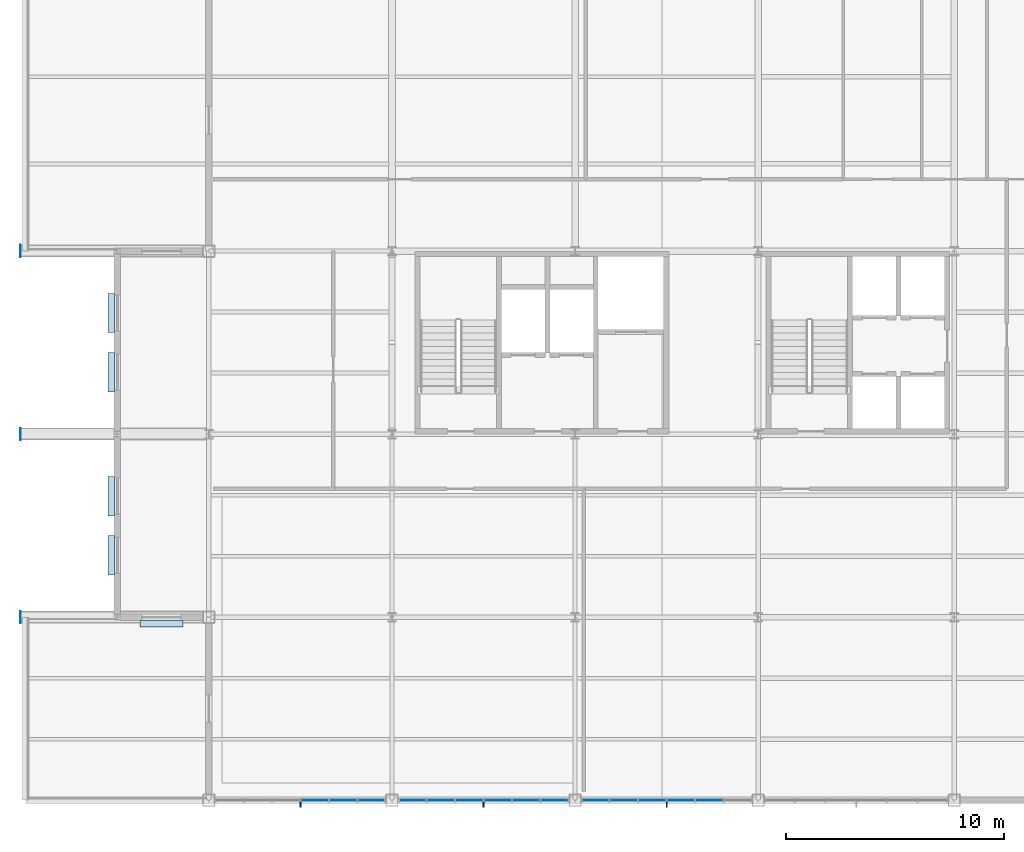
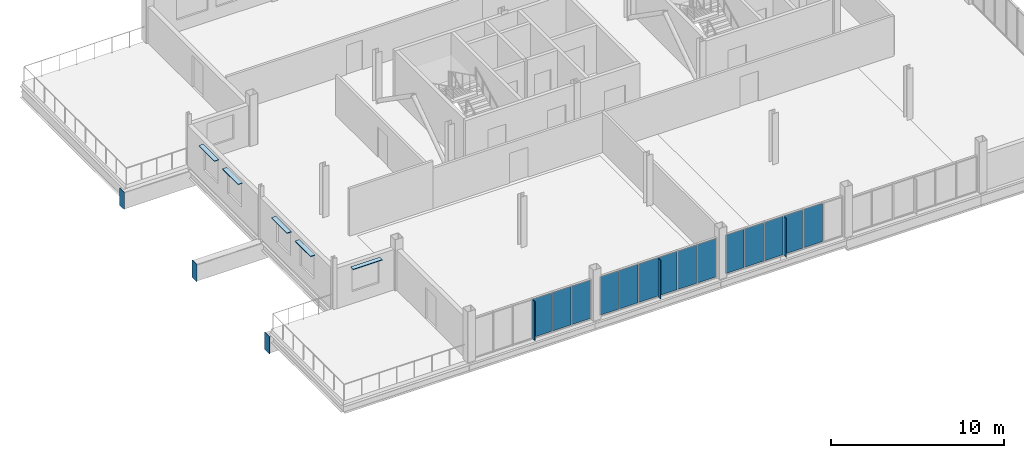
# One storey, part 10 of 18: 25 plates, 3 elements without a shape of their own.
"""IFC4 building model written with IfcOpenShell, lengths in metres."""

from ifc_helpers import new_model, si_unit, direction, frame, origin, origin_2d, place, context, subcontext, project, spatial, rectangle, extrude, material, layer, layer_set, type_object, element, aggregate, save


model = new_model("IFC4")

# Units and contexts
model_context = context("Model", 3, precision=1e-05, world=origin(), true_north=direction((0.0, 1.0)))
body_context = subcontext(model_context, "Body", "Model", "MODEL_VIEW")
ifc_project = project(units=[si_unit("LENGTHUNIT", "METRE"), si_unit("AREAUNIT", "SQUARE_METRE"), si_unit("VOLUMEUNIT", "CUBIC_METRE"), si_unit("PLANEANGLEUNIT", "RADIAN"), si_unit("MASSUNIT", "GRAM", prefix="KILO")], contexts=[model_context])

# Site, building, storey
site_placement = place(None, origin())
site = spatial("IfcSite", under=ifc_project, at=site_placement, CompositionType="ELEMENT")
building_placement = place(site_placement, origin())
building = spatial("IfcBuilding", under=site, at=building_placement, Name="Yukiwa Park Conservatory and Herbarium", CompositionType="ELEMENT")
storey_placement = place(building_placement, frame((0.0, 0.0, 21.0)))
storey = spatial("IfcBuildingStorey", under=building, at=storey_placement, Name="L05", CompositionType="ELEMENT", Elevation=21.0)

# Plates
ifc_material_1 = material(Name="Steel Q355D", Category="steel")
ifc_layer_1 = layer(ifc_material_1, 0.02392578125)
ifc_layer_set_1 = layer_set([ifc_layer_1], Name="Steel Q355D")
plate_type_1 = type_object("IfcPlateType", Name="PL-CAP-24", PredefinedType="USERDEFINED", material=ifc_layer_set_1)
for number, where, z_axis, x_axis, name in (
    (1, (116.155029296875, 86.39990234375, -0.89990234375), (-1.0, 0.0, 0.0), (0.0, -1.0, 0.0), "Hollow section end cap plate CAP-TG1-1-W"),
    (2, (116.155029296875, 94.800048828125, -0.89990234375), (-1.0, 0.0, 0.0), (0.0, -1.0, 0.0), "Hollow section end cap plate CAP-TG1-2-W"),
    (3, (116.155029296875, 103.199951171875, -0.89990234375), (-1.0, 0.0, 0.0), (0.0, -1.0, 0.0), "Hollow section end cap plate CAP-TG1-3-W"),
):
    element("IfcPlate", number, at=place(storey_placement, frame(where, z_axis=z_axis, x_axis=x_axis)), inside=storey, type_object=plate_type_1, Name=name, ObjectType="END CAP PLATE", PredefinedType="USERDEFINED", context=body_context, shape_type="SweptSolid", body=[
        extrude(rectangle(XDim=0.55810546875, YDim=1.2080078125, at=origin_2d()), origin(), (0.0, 0.0, 1.0), 0.02392578125),
    ])

# Curtain wall, plates
ifc_material_2 = material(Name="Triple Low-E Insulated Glass", Category="glass")
ifc_layer_2 = layer(ifc_material_2, 0.248046875)
ifc_layer_set_2 = layer_set([ifc_layer_2], Name="Triple Low-E Insulated Glass")
curtain_wall_type = type_object("IfcCurtainWallType", Name="CW-TOWER-LAB-S-1400", PredefinedType="NOTDEFINED", material=ifc_layer_set_2)
curtain_wall_1_placement = place(storey_placement, origin())
curtain_wall_1 = element("IfcCurtainWall", 4, at=curtain_wall_1_placement, inside=storey, type_object=curtain_wall_type, Name="L05 unitised curtain wall CW-L05-076", PredefinedType="NOTDEFINED")
ifc_material_3 = material(Name="Triple Low-E Insulated Glass", Category="glass")
ifc_layer_3 = layer(ifc_material_3, 0.035888671875)
ifc_layer_set_3 = layer_set([ifc_layer_3], Name="Triple Low-E Insulated Glass")
plate_type_2 = type_object("IfcPlateType", Name="PL-CW-GLZ-36", PredefinedType="CURTAIN_PANEL", material=ifc_layer_set_3)
plate_1_placement = place(storey_placement, frame((129.654296875, 78.0, 0.070068359375), z_axis=(0.0, 0.0, 1.0), x_axis=(1.0, 0.0, 0.0)))
plate_1 = element("IfcPlate", 5, at=plate_1_placement, type_object=plate_type_2, Name="CW-L05-076 vision panel 4.1", PredefinedType="CURTAIN_PANEL", context=body_context, shape_type="SweptSolid", body=[
    extrude(rectangle(XDim=1.23828125, YDim=0.035888671875, at=origin_2d()), origin(), (0.0, 0.0, 1.0), 2.7099609375),
])
plate_2_placement = place(storey_placement, frame((130.96240234375, 78.0, 0.070068359375), z_axis=(0.0, 0.0, 1.0), x_axis=(1.0, 0.0, 0.0)))
plate_2 = element("IfcPlate", 6, at=plate_2_placement, type_object=plate_type_2, Name="CW-L05-076 vision panel 5.1", PredefinedType="CURTAIN_PANEL", context=body_context, shape_type="SweptSolid", body=[
    extrude(rectangle(XDim=1.23828125, YDim=0.035888671875, at=origin_2d()), origin(), (0.0, 0.0, 1.0), 2.7099609375),
])
plate_3_placement = place(storey_placement, frame((132.270751953125, 78.0, 0.070068359375), z_axis=(0.0, 0.0, 1.0), x_axis=(1.0, 0.0, 0.0)))
plate_3 = element("IfcPlate", 7, at=plate_3_placement, type_object=plate_type_2, Name="CW-L05-076 vision panel 6.1", PredefinedType="CURTAIN_PANEL", context=body_context, shape_type="SweptSolid", body=[
    extrude(rectangle(XDim=1.23828125, YDim=0.035888671875, at=origin_2d()), origin(), (0.0, 0.0, 1.0), 2.7099609375),
])
aggregate(curtain_wall_1, [plate_1, plate_2, plate_3])

curtain_wall_2_placement = place(storey_placement, origin())
curtain_wall_2 = element("IfcCurtainWall", 8, at=curtain_wall_2_placement, inside=storey, type_object=curtain_wall_type, Name="L05 unitised curtain wall CW-L05-077", PredefinedType="NOTDEFINED")
plate_4_placement = place(storey_placement, frame((134.129150390625, 78.0, 0.070068359375), z_axis=(0.0, 0.0, 1.0), x_axis=(1.0, 0.0, 0.0)))
plate_4 = element("IfcPlate", 9, at=plate_4_placement, type_object=plate_type_2, Name="CW-L05-077 vision panel 1.1", PredefinedType="CURTAIN_PANEL", context=body_context, shape_type="SweptSolid", body=[
    extrude(rectangle(XDim=1.23828125, YDim=0.035888671875, at=origin_2d()), origin(), (0.0, 0.0, 1.0), 2.7099609375),
])
plate_5_placement = place(storey_placement, frame((135.4375, 78.0, 0.070068359375), z_axis=(0.0, 0.0, 1.0), x_axis=(1.0, 0.0, 0.0)))
plate_5 = element("IfcPlate", 10, at=plate_5_placement, type_object=plate_type_2, Name="CW-L05-077 vision panel 2.1", PredefinedType="CURTAIN_PANEL", context=body_context, shape_type="SweptSolid", body=[
    extrude(rectangle(XDim=1.23828125, YDim=0.035888671875, at=origin_2d()), origin(), (0.0, 0.0, 1.0), 2.7099609375),
])
plate_6_placement = place(storey_placement, frame((136.745849609375, 78.0, 0.070068359375), z_axis=(0.0, 0.0, 1.0), x_axis=(1.0, 0.0, 0.0)))
plate_6 = element("IfcPlate", 11, at=plate_6_placement, type_object=plate_type_2, Name="CW-L05-077 vision panel 3.1", PredefinedType="CURTAIN_PANEL", context=body_context, shape_type="SweptSolid", body=[
    extrude(rectangle(XDim=1.23828125, YDim=0.035888671875, at=origin_2d()), origin(), (0.0, 0.0, 1.0), 2.7099609375),
])
plate_7_placement = place(storey_placement, frame((138.05419921875, 78.0, 0.070068359375), z_axis=(0.0, 0.0, 1.0), x_axis=(1.0, 0.0, 0.0)))
plate_7 = element("IfcPlate", 12, at=plate_7_placement, type_object=plate_type_2, Name="CW-L05-077 vision panel 4.1", PredefinedType="CURTAIN_PANEL", context=body_context, shape_type="SweptSolid", body=[
    extrude(rectangle(XDim=1.23828125, YDim=0.035888671875, at=origin_2d()), origin(), (0.0, 0.0, 1.0), 2.7099609375),
])
plate_8_placement = place(storey_placement, frame((139.362548828125, 78.0, 0.070068359375), z_axis=(0.0, 0.0, 1.0), x_axis=(1.0, 0.0, 0.0)))
plate_8 = element("IfcPlate", 13, at=plate_8_placement, type_object=plate_type_2, Name="CW-L05-077 vision panel 5.1", PredefinedType="CURTAIN_PANEL", context=body_context, shape_type="SweptSolid", body=[
    extrude(rectangle(XDim=1.23828125, YDim=0.035888671875, at=origin_2d()), origin(), (0.0, 0.0, 1.0), 2.7099609375),
])
plate_9_placement = place(storey_placement, frame((140.6708984375, 78.0, 0.070068359375), z_axis=(0.0, 0.0, 1.0), x_axis=(1.0, 0.0, 0.0)))
plate_9 = element("IfcPlate", 14, at=plate_9_placement, type_object=plate_type_2, Name="CW-L05-077 vision panel 6.1", PredefinedType="CURTAIN_PANEL", context=body_context, shape_type="SweptSolid", body=[
    extrude(rectangle(XDim=1.23828125, YDim=0.035888671875, at=origin_2d()), origin(), (0.0, 0.0, 1.0), 2.7099609375),
])
aggregate(curtain_wall_2, [plate_4, plate_5, plate_6, plate_7, plate_8, plate_9])

curtain_wall_3_placement = place(storey_placement, origin())
curtain_wall_3 = element("IfcCurtainWall", 15, at=curtain_wall_3_placement, inside=storey, type_object=curtain_wall_type, Name="L05 unitised curtain wall CW-L05-078", PredefinedType="NOTDEFINED")
plate_10_placement = place(storey_placement, frame((142.529296875, 78.0, 0.070068359375), z_axis=(0.0, 0.0, 1.0), x_axis=(1.0, 0.0, 0.0)))
plate_10 = element("IfcPlate", 16, at=plate_10_placement, type_object=plate_type_2, Name="CW-L05-078 vision panel 1.1", PredefinedType="CURTAIN_PANEL", context=body_context, shape_type="SweptSolid", body=[
    extrude(rectangle(XDim=1.23828125, YDim=0.035888671875, at=origin_2d()), origin(), (0.0, 0.0, 1.0), 2.7099609375),
])
plate_11_placement = place(storey_placement, frame((143.83740234375, 78.0, 0.070068359375), z_axis=(0.0, 0.0, 1.0), x_axis=(1.0, 0.0, 0.0)))
plate_11 = element("IfcPlate", 17, at=plate_11_placement, type_object=plate_type_2, Name="CW-L05-078 vision panel 2.1", PredefinedType="CURTAIN_PANEL", context=body_context, shape_type="SweptSolid", body=[
    extrude(rectangle(XDim=1.23828125, YDim=0.035888671875, at=origin_2d()), origin(), (0.0, 0.0, 1.0), 2.7099609375),
])
plate_12_placement = place(storey_placement, frame((145.145751953125, 78.0, 0.070068359375), z_axis=(0.0, 0.0, 1.0), x_axis=(1.0, 0.0, 0.0)))
plate_12 = element("IfcPlate", 18, at=plate_12_placement, type_object=plate_type_2, Name="CW-L05-078 vision panel 3.1", PredefinedType="CURTAIN_PANEL", context=body_context, shape_type="SweptSolid", body=[
    extrude(rectangle(XDim=1.23828125, YDim=0.035888671875, at=origin_2d()), origin(), (0.0, 0.0, 1.0), 2.7099609375),
])
plate_13_placement = place(storey_placement, frame((146.4541015625, 78.0, 0.070068359375), z_axis=(0.0, 0.0, 1.0), x_axis=(1.0, 0.0, 0.0)))
plate_13 = element("IfcPlate", 19, at=plate_13_placement, type_object=plate_type_2, Name="CW-L05-078 vision panel 4.1", PredefinedType="CURTAIN_PANEL", context=body_context, shape_type="SweptSolid", body=[
    extrude(rectangle(XDim=1.23828125, YDim=0.035888671875, at=origin_2d()), origin(), (0.0, 0.0, 1.0), 2.7099609375),
])
plate_14_placement = place(storey_placement, frame((147.762451171875, 78.0, 0.070068359375), z_axis=(0.0, 0.0, 1.0), x_axis=(1.0, 0.0, 0.0)))
plate_14 = element("IfcPlate", 20, at=plate_14_placement, type_object=plate_type_2, Name="CW-L05-078 vision panel 5.1", PredefinedType="CURTAIN_PANEL", context=body_context, shape_type="SweptSolid", body=[
    extrude(rectangle(XDim=1.23828125, YDim=0.035888671875, at=origin_2d()), origin(), (0.0, 0.0, 1.0), 2.7099609375),
])
aggregate(curtain_wall_3, [plate_10, plate_11, plate_12, plate_13, plate_14])

# Plates
ifc_material_4 = material(Name="Anodised Aluminium", Category="aluminium")
ifc_layer_4 = layer(ifc_material_4, 0.050048828125)
ifc_layer_set_4 = layer_set([ifc_layer_4], Name="Anodised Aluminium")
plate_type_3 = type_object("IfcPlateType", Name="PL-FIN-ALU-50", PredefinedType="USERDEFINED", material=ifc_layer_set_4)
for number, where, z_axis, x_axis, name in (
    (21, (129.0, 77.81005859375, 0.06005859375), (0.0, 0.0, 1.0), (1.0, 0.0, 0.0), "CW-L05-076 exterior vertical shading fin"),
    (22, (137.39990234375, 77.81005859375, 0.06005859375), (0.0, 0.0, 1.0), (1.0, 0.0, 0.0), "CW-L05-077 exterior vertical shading fin"),
    (23, (145.800048828125, 77.81005859375, 0.06005859375), (0.0, 0.0, 1.0), (1.0, 0.0, 0.0), "CW-L05-078 exterior vertical shading fin"),
):
    element("IfcPlate", number, at=place(storey_placement, frame(where, z_axis=z_axis, x_axis=x_axis)), inside=storey, type_object=plate_type_3, Name=name, ObjectType="SHADING FIN", PredefinedType="USERDEFINED", context=body_context, shape_type="SweptSolid", body=[
        extrude(rectangle(XDim=0.050048828125, YDim=0.280029296875, at=origin_2d()), origin(), (0.0, 0.0, 1.0), 2.72998046875),
    ])
ifc_material_5 = material(Name="Anodised Aluminium", Category="aluminium")
ifc_layer_5 = layer(ifc_material_5, 0.0400390625)
ifc_layer_set_5 = layer_set([ifc_layer_5], Name="Anodised Aluminium")
plate_type_4 = type_object("IfcPlateType", Name="PL-SHADE-ALU-40", PredefinedType="SHEET", material=ifc_layer_set_5)
plate_15_placement = place(storey_placement, frame((122.625, 86.110107421875, 2.60009765625), z_axis=(0.0, 0.0, 1.0), x_axis=(1.0, 0.0, 0.0)))
element("IfcPlate", 24, at=plate_15_placement, inside=storey, type_object=plate_type_4, Name="L05 snow-shedding window hood 146", PredefinedType="SHEET", context=body_context, shape_type="SweptSolid", body=[
    extrude(rectangle(XDim=1.9599609375, YDim=0.300048828125, at=origin_2d()), origin(), (0.0, 0.0, 1.0), 0.0400390625),
])
for number, where, z_axis, x_axis, name in (
    (25, (120.31005859375, 100.35791015625, 2.590087890625), (0.0, 0.0, 1.0), (0.0, -1.0, 0.0), "L05 snow-shedding window hood 149"),
    (26, (120.31005859375, 97.64208984375, 2.590087890625), (0.0, 0.0, 1.0), (0.0, -1.0, 0.0), "L05 snow-shedding window hood 150"),
    (27, (120.31005859375, 91.9580078125, 2.590087890625), (0.0, 0.0, 1.0), (0.0, -1.0, 0.0), "L05 snow-shedding window hood 151"),
    (28, (120.31005859375, 89.241943359375, 2.590087890625), (0.0, 0.0, 1.0), (0.0, -1.0, 0.0), "L05 snow-shedding window hood 152"),
):
    element("IfcPlate", number, at=place(storey_placement, frame(where, z_axis=z_axis, x_axis=x_axis)), inside=storey, type_object=plate_type_4, Name=name, PredefinedType="SHEET", context=body_context, shape_type="SweptSolid", body=[
        extrude(rectangle(XDim=1.81005859375, YDim=0.300048828125, at=origin_2d()), origin(), (0.0, 0.0, 1.0), 0.0400390625),
    ])

save(model, "model.ifc")
